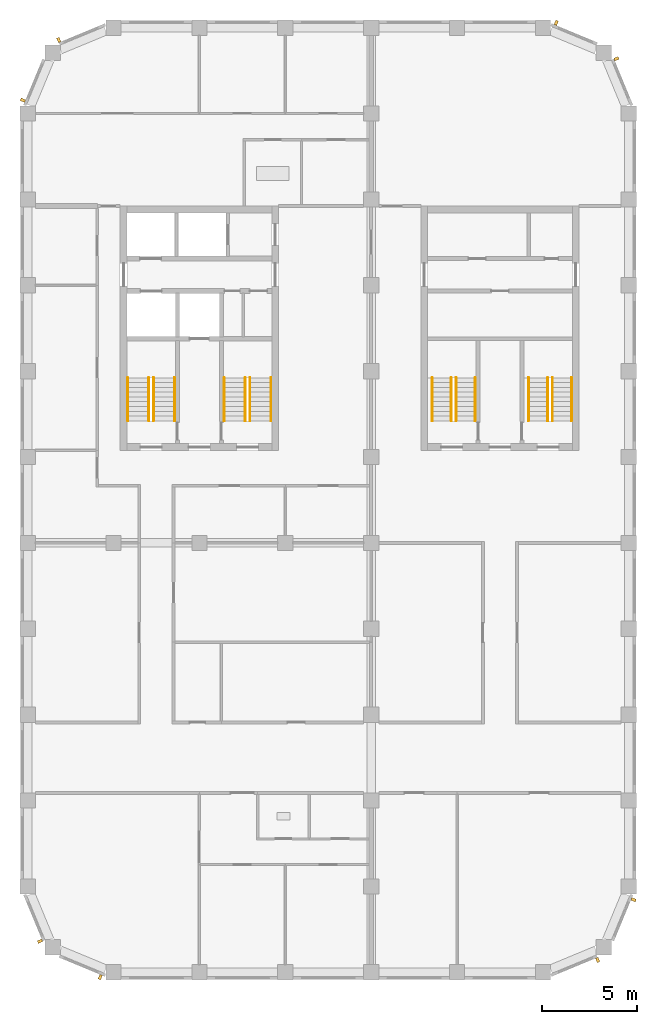
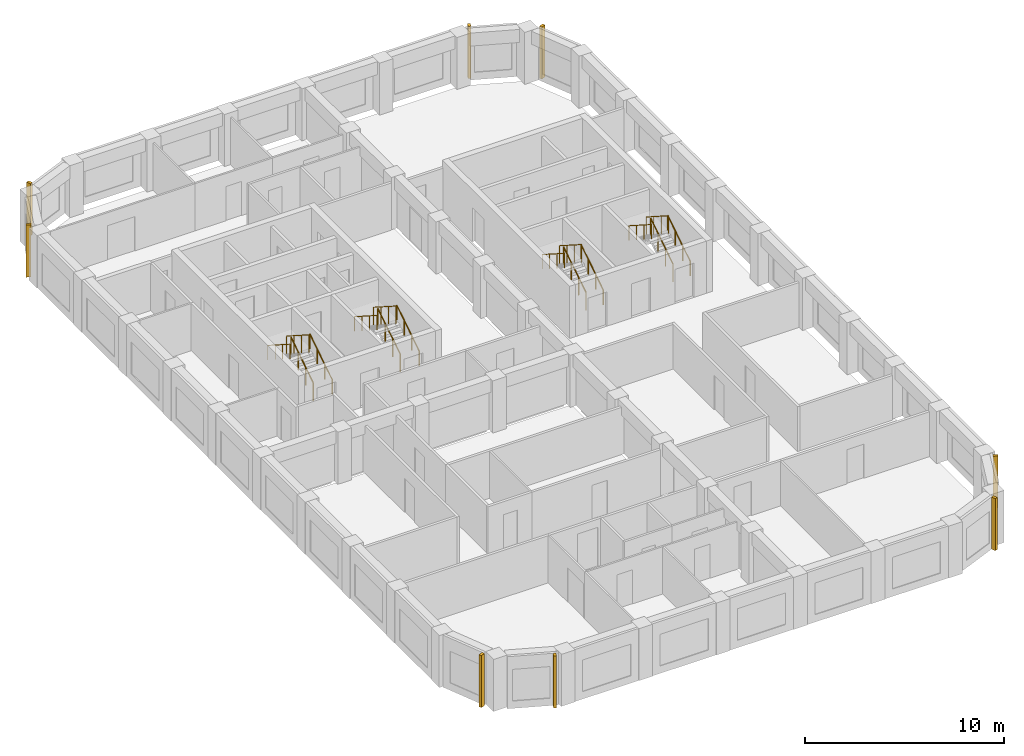
# One storey, part 8 of 9: 16 railings, 8 shading devices.
"""IFC4 building model written with IfcOpenShell, lengths in metres."""

import ifcopenshell
import ifcopenshell.guid

model = None  # the IFC model being written
_history = None  # IfcOwnerHistory: only IFC2X3 demands one
_inside = {}  # id of a spatial element -> (the spatial element, [elements in it])
_under = {}  # id of a project, library or spatial element -> (it, [spatial elements below it])
_declared = {}  # id of a project -> (the project, [libraries it declares])
_typed = {}  # id of a type object -> (the type object, [elements of that type])
_made_of = {}  # id of a material, layer set ... -> (it, [elements and type objects made of it])


def new_model(schema):
    """Start an empty IFC model of exactly this schema.

    Asked for "IFC4X3", IfcOpenShell would pick the latest addendum, in which some entities
    have other attributes; the version numbers below select the first issue.
    IFC2X3 requires an IfcOwnerHistory on every rooted entity: one is made here for all.
    """
    global model, _history
    if schema == "IFC4X3":
        model = ifcopenshell.file(schema_version=(4, 3, 0, 0))
    else:
        model = ifcopenshell.file(schema=schema)
    _inside.clear()
    _under.clear()
    _declared.clear()
    _typed.clear()
    _made_of.clear()
    _history = None
    if model.schema == "IFC2X3":
        org = make("IfcOrganization", Name="unknown")
        user = make(
            "IfcPersonAndOrganization",
            ThePerson=make("IfcPerson", FamilyName="unknown"),
            TheOrganization=org,
        )
        app = make(
            "IfcApplication",
            ApplicationDeveloper=org,
            Version="unknown",
            ApplicationFullName="unknown",
            ApplicationIdentifier="unknown",
        )
        _history = make(
            "IfcOwnerHistory",
            OwningUser=user,
            OwningApplication=app,
            ChangeAction="ADDED",
            CreationDate=0,
        )
    return model


def make(cls, **values):
    """One entity of the class cls with the attributes given. An attribute that is None is left unset."""
    return model.create_entity(
        cls, **{name: value for name, value in values.items() if value is not None}
    )


def rooted(cls, **values):
    """An entity with a GlobalId (a new one), such as an element, a storey or a relation."""
    return make(cls, GlobalId=ifcopenshell.guid.new(), OwnerHistory=_history, **values)


def si_unit(unit_type, name, prefix=None):
    """IfcSIUnit, for example si_unit("LENGTHUNIT", "METRE", prefix="MILLI")."""
    return make("IfcSIUnit", UnitType=unit_type, Prefix=prefix, Name=name)


def assignment(units):
    """IfcUnitAssignment: the units of a project."""
    return None if units is None else make("IfcUnitAssignment", Units=units)


def point(xyz):
    """IfcCartesianPoint."""
    return None if xyz is None else make("IfcCartesianPoint", Coordinates=xyz)


def direction(xyz):
    """IfcDirection."""
    return None if xyz is None else make("IfcDirection", DirectionRatios=xyz)


def frame(location, z_axis=None, x_axis=None):
    """IfcAxis2Placement3D, a coordinate frame: its origin and axes. An axis left out is left unset."""
    return make(
        "IfcAxis2Placement3D",
        Location=point(location),
        Axis=direction(z_axis),
        RefDirection=direction(x_axis),
    )


def frame_2d(location, x_axis=None):
    """IfcAxis2Placement2D, a coordinate frame in the plane: its origin and x axis."""
    return make(
        "IfcAxis2Placement2D", Location=point(location), RefDirection=direction(x_axis)
    )


def origin():
    """The frame at (0, 0, 0) with its axes left unset."""
    return frame((0.0, 0.0, 0.0))


def origin_2d():
    """The frame at (0, 0) in the plane with its x axis left unset."""
    return frame_2d((0.0, 0.0))


def place(relative_to, where):
    """IfcLocalPlacement: puts the frame where relative to a parent placement (None: the world)."""
    return make(
        "IfcLocalPlacement", PlacementRelTo=relative_to, RelativePlacement=where
    )


def context(
    kind, dimensions, precision=None, world=None, true_north=None, identifier=None
):
    """IfcGeometricRepresentationContext, for example the 3D "Model" context."""
    return make(
        "IfcGeometricRepresentationContext",
        ContextIdentifier=identifier,
        ContextType=kind,
        CoordinateSpaceDimension=dimensions,
        Precision=precision,
        WorldCoordinateSystem=world,
        TrueNorth=true_north,
    )


def subcontext(parent, identifier, kind, view, scale=None):
    """IfcGeometricRepresentationSubContext, for example "Body" below "Model"."""
    return make(
        "IfcGeometricRepresentationSubContext",
        ContextIdentifier=identifier,
        ContextType=kind,
        ParentContext=parent,
        TargetScale=scale,
        TargetView=view,
    )


def project(units=None, contexts=None):
    """IfcProject with its units and contexts."""
    return rooted(
        "IfcProject",
        Name="project",
        RepresentationContexts=contexts,
        UnitsInContext=assignment(units),
    )


def spatial(cls, under=None, at=None, **own):
    """A site, building, storey or space (cls), placed at a placement, below another one or the project."""
    s = rooted(cls, ObjectPlacement=at, **own)
    if under is not None:
        _under.setdefault(under.id(), (under, []))[1].append(s)
    return s


def profile(cls, at=None, kind="AREA", **sizes):
    """A parametric profile (cls). Its sizes go by their IFC names, for example OverallWidth=200.0."""
    return make(cls, ProfileType=kind, Position=at, **sizes)


def rectangle(**sizes):
    """IfcRectangleProfileDef."""
    return profile("IfcRectangleProfileDef", **sizes)


def circle(**sizes):
    """IfcCircleProfileDef."""
    return profile("IfcCircleProfileDef", **sizes)


def extrude(swept, where, along, depth):
    """IfcExtrudedAreaSolid: the profile swept, set in the frame where, extruded along a direction by depth."""
    return make(
        "IfcExtrudedAreaSolid",
        SweptArea=swept,
        Position=where,
        ExtrudedDirection=direction(along),
        Depth=depth,
    )


def shape(context_of_items, identifier, shape_type, items):
    """IfcShapeRepresentation: the items that make up one representation, for example the "Body"."""
    return make(
        "IfcShapeRepresentation",
        ContextOfItems=context_of_items,
        RepresentationIdentifier=identifier,
        RepresentationType=shape_type,
        Items=items,
    )


def material(Name=None, Category=None):
    """IfcMaterial."""
    return make("IfcMaterial", Name=Name, Category=Category)


def made_of(thing, what):
    """Note that an element or type object is made of a material, layer set ...; save() writes the relation."""
    if what is not None:
        _made_of.setdefault(what.id(), (what, []))[1].append(thing)
    return thing


def type_object(cls, material=None, **own):
    """A type object (cls), such as IfcWallType, which elements share."""
    return made_of(rooted(cls, **own), material)


def element(
    cls,
    number,
    at=None,
    inside=None,
    cuts=None,
    type_object=None,
    material=None,
    context=None,
    identifier="Body",
    shape_type=None,
    held_by="IfcProductDefinitionShape",
    body=None,
    shapes=None,
    **own,
):
    """One element of the class cls, such as IfcWall. Its Tag is "e" and its number.

    at: its placement. inside: the storey or other place that contains it. cuts: it is an
    opening in that element (IfcRelVoidsElement). A single representation is given by context,
    identifier, shape_type and body (its items); several are given by shapes. held_by: the class
    of the entity that holds the representations. save() writes the other relations.
    """
    e = rooted(cls, Tag="e%d" % number, ObjectPlacement=at, **own)
    if body is not None:
        shapes = [shape(context, identifier, shape_type, body)]
    if shapes is not None:
        e.Representation = make(held_by, Representations=shapes)
    if inside is not None:
        _inside.setdefault(inside.id(), (inside, []))[1].append(e)
    if cuts is not None:
        rooted(
            "IfcRelVoidsElement", RelatingBuildingElement=cuts, RelatedOpeningElement=e
        )
    if type_object is not None:
        _typed.setdefault(type_object.id(), (type_object, []))[1].append(e)
    return made_of(e, material)


def aggregate(whole, parts):
    """IfcRelAggregates: a whole, such as a stair, and the parts it consists of."""
    return rooted("IfcRelAggregates", RelatingObject=whole, RelatedObjects=parts)


def save(model, path):
    """Write the relations noted so far, then the file.

    IfcRelAggregates (storeys below a building ...), IfcRelContainedInSpatialStructure (elements
    in a storey), IfcRelDefinesByType, IfcRelAssociatesMaterial and IfcRelDeclares: one each for
    every whole, place, type object, material and project.
    """
    for whole, parts in _under.values():
        aggregate(whole, parts)
    for where, things in _inside.values():
        rooted(
            "IfcRelContainedInSpatialStructure",
            RelatedElements=things,
            RelatingStructure=where,
        )
    for kind, things in _typed.values():
        rooted("IfcRelDefinesByType", RelatedObjects=things, RelatingType=kind)
    for what, things in _made_of.values():
        rooted("IfcRelAssociatesMaterial", RelatedObjects=things, RelatingMaterial=what)
    for by, libraries in _declared.values():
        rooted("IfcRelDeclares", RelatingContext=by, RelatedDefinitions=libraries)
    model.write(path)


model = new_model("IFC4")

# Units and contexts
model_context = context("Model", 3, precision=1e-05, world=origin(), true_north=direction((0.0, 1.0)))
body_context = subcontext(model_context, "Body", "Model", "MODEL_VIEW")
ifc_project = project(units=[si_unit("LENGTHUNIT", "METRE"), si_unit("AREAUNIT", "SQUARE_METRE"), si_unit("VOLUMEUNIT", "CUBIC_METRE"), si_unit("PLANEANGLEUNIT", "RADIAN"), si_unit("MASSUNIT", "GRAM", prefix="KILO")], contexts=[model_context])

# Site, building, storey
site_placement = place(None, origin())
site = spatial("IfcSite", under=ifc_project, at=site_placement, CompositionType="ELEMENT")
building_placement = place(site_placement, origin())
building = spatial("IfcBuilding", under=site, at=building_placement, Name="Girih Gate Residences", CompositionType="ELEMENT")
storey_placement = place(building_placement, frame((0.0, 0.0, 185.89990234375)))
storey = spatial("IfcBuildingStorey", under=building, at=storey_placement, Name="L51", CompositionType="ELEMENT", Elevation=185.89990234375)

# Shading devices
ifc_material_1 = material(Name="Precast concrete C50/60", Category="concrete")
shading_device_type = type_object("IfcShadingDeviceType", Name="Corner rib 150x250", PredefinedType="USERDEFINED", material=ifc_material_1)
for number, where, z_axis, x_axis, name in (
    (1, (29.867919921875, 0.646728515625, 0.0), (0.0, 0.0, 1.0), (0.923879532511, 0.382683432365, 0.0), "Corner rib SE0270_0000.0"),
    (2, (31.752685546875, 3.80322265625, 0.0), (0.0, 0.0, 1.0), (0.382683432365, 0.923879532511, 0.0), "Corner rib SE0302_0013.0"),
    (3, (30.853271484375, 47.867919921875, 0.0), (0.0, 0.0, 1.0), (-0.382683432365, 0.923879532511, 0.0), "Corner rib NE0315_0450.0"),
    (4, (27.69677734375, 49.752685546875, 0.0), (0.0, 0.0, 1.0), (-0.923879532511, 0.382683432365, 0.0), "Corner rib NE0302_0482.0"),
    (5, (1.632080078125, 48.853271484375, 0.0), (0.0, 0.0, 1.0), (-0.923879532511, -0.382683432365, 0.0), "Corner rib NW0045_0495.0"),
    (6, (-0.252685546875, 45.69677734375, 0.0), (0.0, 0.0, 1.0), (-0.382683432365, -0.923879532511, 0.0), "Corner rib NW0013_0482.0"),
    (7, (0.646728515625, 1.632080078125, 0.0), (0.0, 0.0, 1.0), (0.382683432365, -0.923879532511, 0.0), "Corner rib SW0000_0045.0"),
    (8, (3.80322265625, -0.252685546875, 0.0), (0.0, 0.0, 1.0), (0.923879532511, -0.382683432365, 0.0), "Corner rib SW0013_0013.0"),
):
    element("IfcShadingDevice", number, at=place(storey_placement, frame(where, z_axis=z_axis, x_axis=x_axis)), inside=storey, type_object=shading_device_type, Name=name, ObjectType="FIN", PredefinedType="USERDEFINED", context=body_context, shape_type="SweptSolid", body=[
        extrude(rectangle(XDim=0.14990234375, YDim=0.25, at=origin_2d()), origin(), (0.0, 0.0, 1.0), 3.199951171875),
    ])

# Railings
ifc_material_2 = material(Name="Stainless steel", Category="steel")
railing_type_1 = type_object("IfcRailingType", Name="Stair guard 1100", PredefinedType="GUARDRAIL", material=ifc_material_2)
railing_1_placement = place(storey_placement, frame((6.60009765625, 28.89990234375, 0.16015625)))
element("IfcRailing", 9, at=railing_1_placement, inside=storey, type_object=railing_type_1, Name="L51 ST-W1 stair guard 1", PredefinedType="GUARDRAIL", context=body_context, shape_type="SweptSolid", body=[
    extrude(circle(Radius=0.02392578125, at=origin_2d()), frame((0.0, 0.0, 1.076171875), z_axis=(0.0, 0.842281359387, 0.539038135598), x_axis=(-1.0, 0.0, 0.0)), (0.0, 0.0, 1.0), 2.67138671875),
    extrude(circle(Radius=0.02099609375, at=origin_2d()), origin(), (0.0, 0.0, 1.0), 1.052001953125),
    extrude(circle(Radius=0.02099609375, at=origin_2d()), frame((0.0, 0.75, 0.47998046875)), (0.0, 0.0, 1.0), 1.052001953125),
    extrude(circle(Radius=0.02099609375, at=origin_2d()), frame((0.0, 1.5, 0.9599609375)), (0.0, 0.0, 1.0), 1.052001953125),
    extrude(circle(Radius=0.02099609375, at=origin_2d()), frame((0.0, 2.25, 1.43994140625)), (0.0, 0.0, 1.0), 1.052001953125),
])
railing_2_placement = place(storey_placement, frame((6.35009765625, 31.14990234375, 1.760009765625)))
element("IfcRailing", 10, at=railing_2_placement, inside=storey, type_object=railing_type_1, Name="L51 ST-W1 stair guard 2", PredefinedType="GUARDRAIL", context=body_context, shape_type="SweptSolid", body=[
    extrude(circle(Radius=0.02392578125, at=origin_2d()), frame((0.0, 0.0, 1.076171875), z_axis=(0.0, -0.842239864353, 0.539102968731), x_axis=(1.0, 0.0, 0.0)), (0.0, 0.0, 1.0), 2.67138671875),
    extrude(circle(Radius=0.02099609375, at=origin_2d()), origin(), (0.0, 0.0, 1.0), 1.052001953125),
    extrude(circle(Radius=0.02099609375, at=origin_2d()), frame((0.0, -0.75, 0.47998046875)), (0.0, 0.0, 1.0), 1.052001953125),
    extrude(circle(Radius=0.02099609375, at=origin_2d()), frame((0.0, -1.5, 0.960205078125)), (0.0, 0.0, 1.0), 1.052001953125),
    extrude(circle(Radius=0.02099609375, at=origin_2d()), frame((0.0, -2.25, 1.440185546875)), (0.0, 0.0, 1.0), 1.052001953125),
])
railing_3_placement = place(storey_placement, frame((11.64990234375, 28.89990234375, 0.16015625)))
element("IfcRailing", 11, at=railing_3_placement, inside=storey, type_object=railing_type_1, Name="L51 ST-W2 stair guard 1", PredefinedType="GUARDRAIL", context=body_context, shape_type="SweptSolid", body=[
    extrude(circle(Radius=0.02392578125, at=origin_2d()), frame((0.0, 0.0, 1.076171875), z_axis=(0.0, 0.842281359387, 0.539038135598), x_axis=(-1.0, 0.0, 0.0)), (0.0, 0.0, 1.0), 2.67138671875),
    extrude(circle(Radius=0.02099609375, at=origin_2d()), origin(), (0.0, 0.0, 1.0), 1.052001953125),
    extrude(circle(Radius=0.02099609375, at=origin_2d()), frame((0.0, 0.75, 0.47998046875)), (0.0, 0.0, 1.0), 1.052001953125),
    extrude(circle(Radius=0.02099609375, at=origin_2d()), frame((0.0, 1.5, 0.9599609375)), (0.0, 0.0, 1.0), 1.052001953125),
    extrude(circle(Radius=0.02099609375, at=origin_2d()), frame((0.0, 2.25, 1.43994140625)), (0.0, 0.0, 1.0), 1.052001953125),
])
railing_4_placement = place(storey_placement, frame((11.39990234375, 31.14990234375, 1.760009765625)))
element("IfcRailing", 12, at=railing_4_placement, inside=storey, type_object=railing_type_1, Name="L51 ST-W2 stair guard 2", PredefinedType="GUARDRAIL", context=body_context, shape_type="SweptSolid", body=[
    extrude(circle(Radius=0.02392578125, at=origin_2d()), frame((0.0, 0.0, 1.076171875), z_axis=(0.0, -0.842239864353, 0.539102968731), x_axis=(1.0, 0.0, 0.0)), (0.0, 0.0, 1.0), 2.67138671875),
    extrude(circle(Radius=0.02099609375, at=origin_2d()), origin(), (0.0, 0.0, 1.0), 1.052001953125),
    extrude(circle(Radius=0.02099609375, at=origin_2d()), frame((0.0, -0.75, 0.47998046875)), (0.0, 0.0, 1.0), 1.052001953125),
    extrude(circle(Radius=0.02099609375, at=origin_2d()), frame((0.0, -1.5, 0.960205078125)), (0.0, 0.0, 1.0), 1.052001953125),
    extrude(circle(Radius=0.02099609375, at=origin_2d()), frame((0.0, -2.25, 1.440185546875)), (0.0, 0.0, 1.0), 1.052001953125),
])
railing_5_placement = place(storey_placement, frame((22.449951171875, 28.89990234375, 0.16015625)))
element("IfcRailing", 13, at=railing_5_placement, inside=storey, type_object=railing_type_1, Name="L51 ST-C1 stair guard 1", PredefinedType="GUARDRAIL", context=body_context, shape_type="SweptSolid", body=[
    extrude(circle(Radius=0.02392578125, at=origin_2d()), frame((0.0, 0.0, 1.076171875), z_axis=(0.0, 0.842281359387, 0.539038135598), x_axis=(-1.0, 0.0, 0.0)), (0.0, 0.0, 1.0), 2.67138671875),
    extrude(circle(Radius=0.02099609375, at=origin_2d()), origin(), (0.0, 0.0, 1.0), 1.052001953125),
    extrude(circle(Radius=0.02099609375, at=origin_2d()), frame((0.0, 0.75, 0.47998046875)), (0.0, 0.0, 1.0), 1.052001953125),
    extrude(circle(Radius=0.02099609375, at=origin_2d()), frame((0.0, 1.5, 0.9599609375)), (0.0, 0.0, 1.0), 1.052001953125),
    extrude(circle(Radius=0.02099609375, at=origin_2d()), frame((0.0, 2.25, 1.43994140625)), (0.0, 0.0, 1.0), 1.052001953125),
])
railing_6_placement = place(storey_placement, frame((22.199951171875, 31.14990234375, 1.760009765625)))
element("IfcRailing", 14, at=railing_6_placement, inside=storey, type_object=railing_type_1, Name="L51 ST-C1 stair guard 2", PredefinedType="GUARDRAIL", context=body_context, shape_type="SweptSolid", body=[
    extrude(circle(Radius=0.02392578125, at=origin_2d()), frame((0.0, 0.0, 1.076171875), z_axis=(0.0, -0.842239864353, 0.539102968731), x_axis=(1.0, 0.0, 0.0)), (0.0, 0.0, 1.0), 2.67138671875),
    extrude(circle(Radius=0.02099609375, at=origin_2d()), origin(), (0.0, 0.0, 1.0), 1.052001953125),
    extrude(circle(Radius=0.02099609375, at=origin_2d()), frame((0.0, -0.75, 0.47998046875)), (0.0, 0.0, 1.0), 1.052001953125),
    extrude(circle(Radius=0.02099609375, at=origin_2d()), frame((0.0, -1.5, 0.960205078125)), (0.0, 0.0, 1.0), 1.052001953125),
    extrude(circle(Radius=0.02099609375, at=origin_2d()), frame((0.0, -2.25, 1.440185546875)), (0.0, 0.0, 1.0), 1.052001953125),
])
railing_7_placement = place(storey_placement, frame((27.5, 28.89990234375, 0.16015625)))
element("IfcRailing", 15, at=railing_7_placement, inside=storey, type_object=railing_type_1, Name="L51 ST-C2 stair guard 1", PredefinedType="GUARDRAIL", context=body_context, shape_type="SweptSolid", body=[
    extrude(circle(Radius=0.02392578125, at=origin_2d()), frame((0.0, 0.0, 1.076171875), z_axis=(0.0, 0.842281359387, 0.539038135598), x_axis=(-1.0, 0.0, 0.0)), (0.0, 0.0, 1.0), 2.67138671875),
    extrude(circle(Radius=0.02099609375, at=origin_2d()), origin(), (0.0, 0.0, 1.0), 1.052001953125),
    extrude(circle(Radius=0.02099609375, at=origin_2d()), frame((0.0, 0.75, 0.47998046875)), (0.0, 0.0, 1.0), 1.052001953125),
    extrude(circle(Radius=0.02099609375, at=origin_2d()), frame((0.0, 1.5, 0.9599609375)), (0.0, 0.0, 1.0), 1.052001953125),
    extrude(circle(Radius=0.02099609375, at=origin_2d()), frame((0.0, 2.25, 1.43994140625)), (0.0, 0.0, 1.0), 1.052001953125),
])
railing_8_placement = place(storey_placement, frame((27.25, 31.14990234375, 1.760009765625)))
element("IfcRailing", 16, at=railing_8_placement, inside=storey, type_object=railing_type_1, Name="L51 ST-C2 stair guard 2", PredefinedType="GUARDRAIL", context=body_context, shape_type="SweptSolid", body=[
    extrude(circle(Radius=0.02392578125, at=origin_2d()), frame((0.0, 0.0, 1.076171875), z_axis=(0.0, -0.842239864353, 0.539102968731), x_axis=(1.0, 0.0, 0.0)), (0.0, 0.0, 1.0), 2.67138671875),
    extrude(circle(Radius=0.02099609375, at=origin_2d()), origin(), (0.0, 0.0, 1.0), 1.052001953125),
    extrude(circle(Radius=0.02099609375, at=origin_2d()), frame((0.0, -0.75, 0.47998046875)), (0.0, 0.0, 1.0), 1.052001953125),
    extrude(circle(Radius=0.02099609375, at=origin_2d()), frame((0.0, -1.5, 0.960205078125)), (0.0, 0.0, 1.0), 1.052001953125),
    extrude(circle(Radius=0.02099609375, at=origin_2d()), frame((0.0, -2.25, 1.440185546875)), (0.0, 0.0, 1.0), 1.052001953125),
])
railing_type_2 = type_object("IfcRailingType", Name="Stair handrail 900", PredefinedType="HANDRAIL", material=ifc_material_2)
railing_9_placement = place(storey_placement, frame((7.699951171875, 28.89990234375, 0.16015625)))
element("IfcRailing", 17, at=railing_9_placement, inside=storey, type_object=railing_type_2, Name="L51 ST-W1 stair handrail 1", PredefinedType="HANDRAIL", context=body_context, shape_type="SweptSolid", body=[
    extrude(circle(Radius=0.02392578125, at=origin_2d()), frame((0.0, 0.0, 0.8857421875), z_axis=(0.0, 0.842281359387, 0.539038135598), x_axis=(-1.0, 0.0, 0.0)), (0.0, 0.0, 1.0), 2.67138671875),
    extrude(circle(Radius=0.02099609375, at=origin_2d()), origin(), (0.0, 0.0, 1.0), 0.86181640625),
    extrude(circle(Radius=0.02099609375, at=origin_2d()), frame((0.0, 0.75, 0.47998046875)), (0.0, 0.0, 1.0), 0.86181640625),
    extrude(circle(Radius=0.02099609375, at=origin_2d()), frame((0.0, 1.5, 0.9599609375)), (0.0, 0.0, 1.0), 0.86181640625),
    extrude(circle(Radius=0.02099609375, at=origin_2d()), frame((0.0, 2.25, 1.43994140625)), (0.0, 0.0, 1.0), 0.86181640625),
])
railing_10_placement = place(storey_placement, frame((5.25, 31.14990234375, 1.760009765625)))
element("IfcRailing", 18, at=railing_10_placement, inside=storey, type_object=railing_type_2, Name="L51 ST-W1 stair handrail 2", PredefinedType="HANDRAIL", context=body_context, shape_type="SweptSolid", body=[
    extrude(circle(Radius=0.02392578125, at=origin_2d()), frame((0.0, 0.0, 0.8857421875), z_axis=(0.0, -0.842239864353, 0.539102968731), x_axis=(1.0, 0.0, 0.0)), (0.0, 0.0, 1.0), 2.67138671875),
    extrude(circle(Radius=0.02099609375, at=origin_2d()), origin(), (0.0, 0.0, 1.0), 0.86181640625),
    extrude(circle(Radius=0.02099609375, at=origin_2d()), frame((0.0, -0.75, 0.47998046875)), (0.0, 0.0, 1.0), 0.86181640625),
    extrude(circle(Radius=0.02099609375, at=origin_2d()), frame((0.0, -1.5, 0.960205078125)), (0.0, 0.0, 1.0), 0.86181640625),
    extrude(circle(Radius=0.02099609375, at=origin_2d()), frame((0.0, -2.25, 1.440185546875)), (0.0, 0.0, 1.0), 0.86181640625),
])
railing_11_placement = place(storey_placement, frame((12.75, 28.89990234375, 0.16015625)))
element("IfcRailing", 19, at=railing_11_placement, inside=storey, type_object=railing_type_2, Name="L51 ST-W2 stair handrail 1", PredefinedType="HANDRAIL", context=body_context, shape_type="SweptSolid", body=[
    extrude(circle(Radius=0.02392578125, at=origin_2d()), frame((0.0, 0.0, 0.8857421875), z_axis=(0.0, 0.842281359387, 0.539038135598), x_axis=(-1.0, 0.0, 0.0)), (0.0, 0.0, 1.0), 2.67138671875),
    extrude(circle(Radius=0.02099609375, at=origin_2d()), origin(), (0.0, 0.0, 1.0), 0.86181640625),
    extrude(circle(Radius=0.02099609375, at=origin_2d()), frame((0.0, 0.75, 0.47998046875)), (0.0, 0.0, 1.0), 0.86181640625),
    extrude(circle(Radius=0.02099609375, at=origin_2d()), frame((0.0, 1.5, 0.9599609375)), (0.0, 0.0, 1.0), 0.86181640625),
    extrude(circle(Radius=0.02099609375, at=origin_2d()), frame((0.0, 2.25, 1.43994140625)), (0.0, 0.0, 1.0), 0.86181640625),
])
railing_12_placement = place(storey_placement, frame((10.300048828125, 31.14990234375, 1.760009765625)))
element("IfcRailing", 20, at=railing_12_placement, inside=storey, type_object=railing_type_2, Name="L51 ST-W2 stair handrail 2", PredefinedType="HANDRAIL", context=body_context, shape_type="SweptSolid", body=[
    extrude(circle(Radius=0.02392578125, at=origin_2d()), frame((0.0, 0.0, 0.8857421875), z_axis=(0.0, -0.842239864353, 0.539102968731), x_axis=(1.0, 0.0, 0.0)), (0.0, 0.0, 1.0), 2.67138671875),
    extrude(circle(Radius=0.02099609375, at=origin_2d()), origin(), (0.0, 0.0, 1.0), 0.86181640625),
    extrude(circle(Radius=0.02099609375, at=origin_2d()), frame((0.0, -0.75, 0.47998046875)), (0.0, 0.0, 1.0), 0.86181640625),
    extrude(circle(Radius=0.02099609375, at=origin_2d()), frame((0.0, -1.5, 0.960205078125)), (0.0, 0.0, 1.0), 0.86181640625),
    extrude(circle(Radius=0.02099609375, at=origin_2d()), frame((0.0, -2.25, 1.440185546875)), (0.0, 0.0, 1.0), 0.86181640625),
])
railing_13_placement = place(storey_placement, frame((23.449951171875, 28.89990234375, 0.16015625)))
element("IfcRailing", 21, at=railing_13_placement, inside=storey, type_object=railing_type_2, Name="L51 ST-C1 stair handrail 1", PredefinedType="HANDRAIL", context=body_context, shape_type="SweptSolid", body=[
    extrude(circle(Radius=0.02392578125, at=origin_2d()), frame((0.0, 0.0, 0.8857421875), z_axis=(0.0, 0.842281359387, 0.539038135598), x_axis=(-1.0, 0.0, 0.0)), (0.0, 0.0, 1.0), 2.67138671875),
    extrude(circle(Radius=0.02099609375, at=origin_2d()), origin(), (0.0, 0.0, 1.0), 0.86181640625),
    extrude(circle(Radius=0.02099609375, at=origin_2d()), frame((0.0, 0.75, 0.47998046875)), (0.0, 0.0, 1.0), 0.86181640625),
    extrude(circle(Radius=0.02099609375, at=origin_2d()), frame((0.0, 1.5, 0.9599609375)), (0.0, 0.0, 1.0), 0.86181640625),
    extrude(circle(Radius=0.02099609375, at=origin_2d()), frame((0.0, 2.25, 1.43994140625)), (0.0, 0.0, 1.0), 0.86181640625),
])
railing_14_placement = place(storey_placement, frame((21.199951171875, 31.14990234375, 1.760009765625)))
element("IfcRailing", 22, at=railing_14_placement, inside=storey, type_object=railing_type_2, Name="L51 ST-C1 stair handrail 2", PredefinedType="HANDRAIL", context=body_context, shape_type="SweptSolid", body=[
    extrude(circle(Radius=0.02392578125, at=origin_2d()), frame((0.0, 0.0, 0.8857421875), z_axis=(0.0, -0.842239864353, 0.539102968731), x_axis=(1.0, 0.0, 0.0)), (0.0, 0.0, 1.0), 2.67138671875),
    extrude(circle(Radius=0.02099609375, at=origin_2d()), origin(), (0.0, 0.0, 1.0), 0.86181640625),
    extrude(circle(Radius=0.02099609375, at=origin_2d()), frame((0.0, -0.75, 0.47998046875)), (0.0, 0.0, 1.0), 0.86181640625),
    extrude(circle(Radius=0.02099609375, at=origin_2d()), frame((0.0, -1.5, 0.960205078125)), (0.0, 0.0, 1.0), 0.86181640625),
    extrude(circle(Radius=0.02099609375, at=origin_2d()), frame((0.0, -2.25, 1.440185546875)), (0.0, 0.0, 1.0), 0.86181640625),
])
railing_15_placement = place(storey_placement, frame((28.5, 28.89990234375, 0.16015625)))
element("IfcRailing", 23, at=railing_15_placement, inside=storey, type_object=railing_type_2, Name="L51 ST-C2 stair handrail 1", PredefinedType="HANDRAIL", context=body_context, shape_type="SweptSolid", body=[
    extrude(circle(Radius=0.02392578125, at=origin_2d()), frame((0.0, 0.0, 0.8857421875), z_axis=(0.0, 0.842281359387, 0.539038135598), x_axis=(-1.0, 0.0, 0.0)), (0.0, 0.0, 1.0), 2.67138671875),
    extrude(circle(Radius=0.02099609375, at=origin_2d()), origin(), (0.0, 0.0, 1.0), 0.86181640625),
    extrude(circle(Radius=0.02099609375, at=origin_2d()), frame((0.0, 0.75, 0.47998046875)), (0.0, 0.0, 1.0), 0.86181640625),
    extrude(circle(Radius=0.02099609375, at=origin_2d()), frame((0.0, 1.5, 0.9599609375)), (0.0, 0.0, 1.0), 0.86181640625),
    extrude(circle(Radius=0.02099609375, at=origin_2d()), frame((0.0, 2.25, 1.43994140625)), (0.0, 0.0, 1.0), 0.86181640625),
])
railing_16_placement = place(storey_placement, frame((26.25, 31.14990234375, 1.760009765625)))
element("IfcRailing", 24, at=railing_16_placement, inside=storey, type_object=railing_type_2, Name="L51 ST-C2 stair handrail 2", PredefinedType="HANDRAIL", context=body_context, shape_type="SweptSolid", body=[
    extrude(circle(Radius=0.02392578125, at=origin_2d()), frame((0.0, 0.0, 0.8857421875), z_axis=(0.0, -0.842239864353, 0.539102968731), x_axis=(1.0, 0.0, 0.0)), (0.0, 0.0, 1.0), 2.67138671875),
    extrude(circle(Radius=0.02099609375, at=origin_2d()), origin(), (0.0, 0.0, 1.0), 0.86181640625),
    extrude(circle(Radius=0.02099609375, at=origin_2d()), frame((0.0, -0.75, 0.47998046875)), (0.0, 0.0, 1.0), 0.86181640625),
    extrude(circle(Radius=0.02099609375, at=origin_2d()), frame((0.0, -1.5, 0.960205078125)), (0.0, 0.0, 1.0), 0.86181640625),
    extrude(circle(Radius=0.02099609375, at=origin_2d()), frame((0.0, -2.25, 1.440185546875)), (0.0, 0.0, 1.0), 0.86181640625),
])

save(model, "model.ifc")
